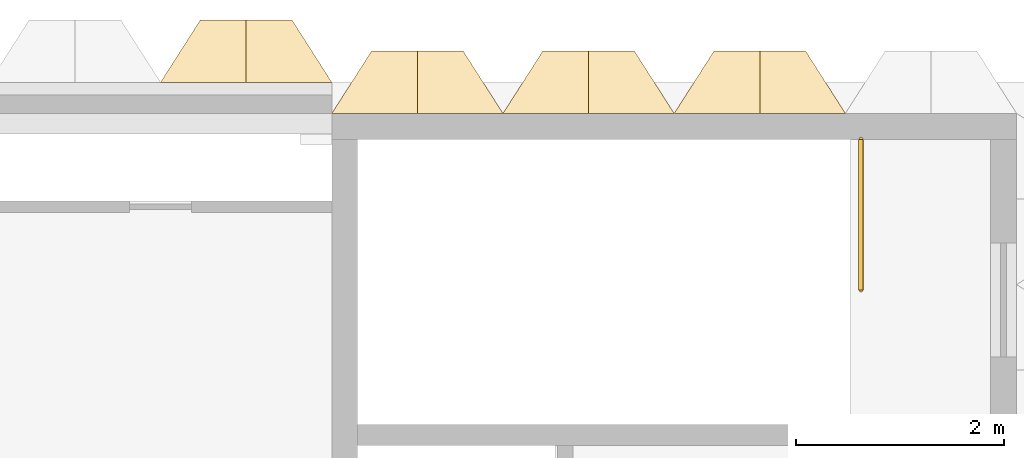
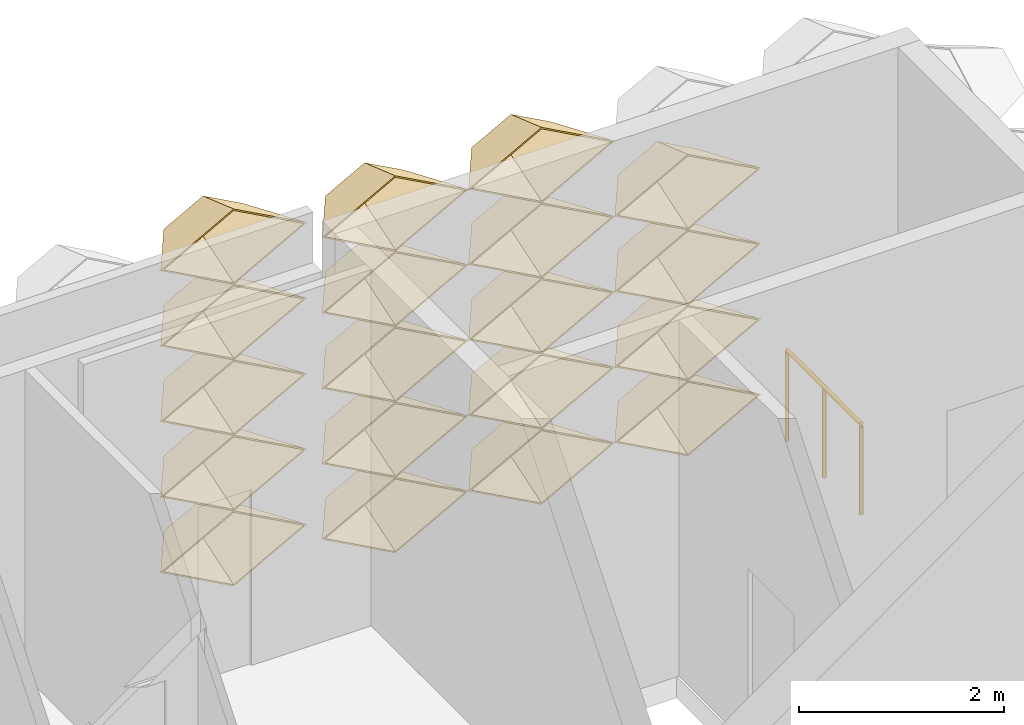
# One storey, part 82 of 85: 19 coverings, 1 railing.
"""IFC4 building model written with IfcOpenShell, lengths in metres."""

from ifc_helpers import new_model, entity, si_unit, direction, frame, origin, origin_2d, place, context, subcontext, project, spatial, circle, extrude, material, layer, layer_set, type_object, element, save


model = new_model("IFC4")

# Units and contexts
model_context = context("Model", 3, precision=1e-05, world=origin(), true_north=direction((0.0, 1.0)))
body_context = subcontext(model_context, "Body", "Model", "MODEL_VIEW")
ifc_project = project(units=[si_unit("LENGTHUNIT", "METRE"), si_unit("AREAUNIT", "SQUARE_METRE"), si_unit("VOLUMEUNIT", "CUBIC_METRE"), si_unit("PLANEANGLEUNIT", "RADIAN"), si_unit("MASSUNIT", "GRAM", prefix="KILO")], contexts=[model_context])

# Site, building, storey
site_placement = place(None, origin())
site = spatial("IfcSite", under=ifc_project, at=site_placement, CompositionType="ELEMENT")
building_placement = place(site_placement, origin())
building = spatial("IfcBuilding", under=site, at=building_placement, Name="Lantern Court Research Institute", CompositionType="ELEMENT")
storey_placement = place(building_placement, frame((0.0, 0.0, 18.89990234375)))
storey = spatial("IfcBuildingStorey", under=building, at=storey_placement, Name="L04", CompositionType="ELEMENT", Elevation=18.89990234375)

# Coverings
ifc_material_1 = material(Name="Anodised aluminium", Category="aluminium")
ifc_layer = layer(ifc_material_1, 0.01611328125)
ifc_layer_set = layer_set([ifc_layer], Name="Anodised aluminium")
covering_type = type_object("IfcCoveringType", Name="Fin cassette 1650 x 900 x 600 aluminium", PredefinedType="CLADDING", material=ifc_layer_set)
covering_1_placement = place(storey_placement, frame((73.425048828125, 99.0, 0.4501953125), z_axis=(0.0, 1.0, 0.0), x_axis=(-1.0, 0.0, 0.0)))
cartesian_point_1 = entity("IfcCartesianPoint", [0.824951171875, 0.0])
cartesian_point_2 = entity("IfcCartesianPoint", [0.79150390625, 0.0])
cartesian_point_3 = entity("IfcCartesianPoint", [0.44189453125, 0.0])
cartesian_point_4 = entity("IfcCartesianPoint", [0.43359375, 0.0])
element("IfcCovering", 1, at=covering_1_placement, inside=storey, type_object=covering_type, Name="Fin cassette V6N-L04 1.45", PredefinedType="CLADDING", context=body_context, shape_type="SweptSolid", body=[
    entity("IfcExtrudedAreaSolidTapered", entity("IfcArbitraryProfileDefWithVoids", "AREA", None, entity("IfcPolyline", [cartesian_point_1, entity("IfcCartesianPoint", [0.0, 0.449951171875]), entity("IfcCartesianPoint", [-0.824951171875, 0.0]), entity("IfcCartesianPoint", [0.0, -0.449951171875]), cartesian_point_1]), [entity("IfcPolyline", [cartesian_point_2, entity("IfcCartesianPoint", [0.0, 0.431884765625]), entity("IfcCartesianPoint", [-0.79150390625, 0.0]), entity("IfcCartesianPoint", [0.0, -0.431884765625]), cartesian_point_2])]), entity("IfcAxis2Placement3D", entity("IfcCartesianPoint", [0.0, 0.0, 0.0])), entity("IfcDirection", [0.0, 0.0, 1.0]), 0.60009765625, entity("IfcArbitraryProfileDefWithVoids", "AREA", None, entity("IfcPolyline", [cartesian_point_3, entity("IfcCartesianPoint", [0.0, 0.240966796875]), entity("IfcCartesianPoint", [-0.44189453125, 0.0]), entity("IfcCartesianPoint", [0.0, -0.240966796875]), cartesian_point_3]), [entity("IfcPolyline", [cartesian_point_4, entity("IfcCartesianPoint", [0.0, 0.236572265625]), entity("IfcCartesianPoint", [-0.43359375, 0.0]), entity("IfcCartesianPoint", [0.0, -0.236572265625]), cartesian_point_4])])),
])
covering_2_placement = place(storey_placement, frame((75.074951171875, 99.0, 0.4501953125), z_axis=(0.0, 1.0, 0.0), x_axis=(-1.0, 0.0, 0.0)))
cartesian_point_5 = entity("IfcCartesianPoint", [0.824951171875, 0.0])
cartesian_point_6 = entity("IfcCartesianPoint", [0.79150390625, 0.0])
cartesian_point_7 = entity("IfcCartesianPoint", [0.44189453125, 0.0])
cartesian_point_8 = entity("IfcCartesianPoint", [0.43359375, 0.0])
element("IfcCovering", 2, at=covering_2_placement, inside=storey, type_object=covering_type, Name="Fin cassette V6N-L04 1.46", PredefinedType="CLADDING", context=body_context, shape_type="SweptSolid", body=[
    entity("IfcExtrudedAreaSolidTapered", entity("IfcArbitraryProfileDefWithVoids", "AREA", None, entity("IfcPolyline", [cartesian_point_5, entity("IfcCartesianPoint", [0.0, 0.449951171875]), entity("IfcCartesianPoint", [-0.824951171875, 0.0]), entity("IfcCartesianPoint", [0.0, -0.449951171875]), cartesian_point_5]), [entity("IfcPolyline", [cartesian_point_6, entity("IfcCartesianPoint", [0.0, 0.431884765625]), entity("IfcCartesianPoint", [-0.79150390625, 0.0]), entity("IfcCartesianPoint", [0.0, -0.431884765625]), cartesian_point_6])]), entity("IfcAxis2Placement3D", entity("IfcCartesianPoint", [0.0, 0.0, 0.0])), entity("IfcDirection", [0.0, 0.0, 1.0]), 0.60009765625, entity("IfcArbitraryProfileDefWithVoids", "AREA", None, entity("IfcPolyline", [cartesian_point_7, entity("IfcCartesianPoint", [0.0, 0.240966796875]), entity("IfcCartesianPoint", [-0.44189453125, 0.0]), entity("IfcCartesianPoint", [0.0, -0.240966796875]), cartesian_point_7]), [entity("IfcPolyline", [cartesian_point_8, entity("IfcCartesianPoint", [0.0, 0.236572265625]), entity("IfcCartesianPoint", [-0.43359375, 0.0]), entity("IfcCartesianPoint", [0.0, -0.236572265625]), cartesian_point_8])])),
])
covering_3_placement = place(storey_placement, frame((76.72509765625, 99.0, 0.4501953125), z_axis=(0.0, 1.0, 0.0), x_axis=(-1.0, 0.0, 0.0)))
cartesian_point_9 = entity("IfcCartesianPoint", [0.824951171875, 0.0])
cartesian_point_10 = entity("IfcCartesianPoint", [0.79150390625, 0.0])
cartesian_point_11 = entity("IfcCartesianPoint", [0.44189453125, 0.0])
cartesian_point_12 = entity("IfcCartesianPoint", [0.43359375, 0.0])
element("IfcCovering", 3, at=covering_3_placement, inside=storey, type_object=covering_type, Name="Fin cassette V6N-L04 1.47", PredefinedType="CLADDING", context=body_context, shape_type="SweptSolid", body=[
    entity("IfcExtrudedAreaSolidTapered", entity("IfcArbitraryProfileDefWithVoids", "AREA", None, entity("IfcPolyline", [cartesian_point_9, entity("IfcCartesianPoint", [0.0, 0.449951171875]), entity("IfcCartesianPoint", [-0.824951171875, 0.0]), entity("IfcCartesianPoint", [0.0, -0.449951171875]), cartesian_point_9]), [entity("IfcPolyline", [cartesian_point_10, entity("IfcCartesianPoint", [0.0, 0.431884765625]), entity("IfcCartesianPoint", [-0.79150390625, 0.0]), entity("IfcCartesianPoint", [0.0, -0.431884765625]), cartesian_point_10])]), entity("IfcAxis2Placement3D", entity("IfcCartesianPoint", [0.0, 0.0, 0.0])), entity("IfcDirection", [0.0, 0.0, 1.0]), 0.60009765625, entity("IfcArbitraryProfileDefWithVoids", "AREA", None, entity("IfcPolyline", [cartesian_point_11, entity("IfcCartesianPoint", [0.0, 0.240966796875]), entity("IfcCartesianPoint", [-0.44189453125, 0.0]), entity("IfcCartesianPoint", [0.0, -0.240966796875]), cartesian_point_11]), [entity("IfcPolyline", [cartesian_point_12, entity("IfcCartesianPoint", [0.0, 0.236572265625]), entity("IfcCartesianPoint", [-0.43359375, 0.0]), entity("IfcCartesianPoint", [0.0, -0.236572265625]), cartesian_point_12])])),
])
covering_4_placement = place(storey_placement, frame((73.425048828125, 99.0, 1.35009765625), z_axis=(0.0, 1.0, 0.0), x_axis=(-1.0, 0.0, 0.0)))
cartesian_point_13 = entity("IfcCartesianPoint", [0.824951171875, 0.0])
cartesian_point_14 = entity("IfcCartesianPoint", [0.79150390625, 0.0])
cartesian_point_15 = entity("IfcCartesianPoint", [0.44189453125, 0.0])
cartesian_point_16 = entity("IfcCartesianPoint", [0.43359375, 0.0])
element("IfcCovering", 4, at=covering_4_placement, inside=storey, type_object=covering_type, Name="Fin cassette V6N-L04 2.45", PredefinedType="CLADDING", context=body_context, shape_type="SweptSolid", body=[
    entity("IfcExtrudedAreaSolidTapered", entity("IfcArbitraryProfileDefWithVoids", "AREA", None, entity("IfcPolyline", [cartesian_point_13, entity("IfcCartesianPoint", [0.0, 0.449951171875]), entity("IfcCartesianPoint", [-0.824951171875, 0.0]), entity("IfcCartesianPoint", [0.0, -0.449951171875]), cartesian_point_13]), [entity("IfcPolyline", [cartesian_point_14, entity("IfcCartesianPoint", [0.0, 0.431884765625]), entity("IfcCartesianPoint", [-0.79150390625, 0.0]), entity("IfcCartesianPoint", [0.0, -0.431884765625]), cartesian_point_14])]), entity("IfcAxis2Placement3D", entity("IfcCartesianPoint", [0.0, 0.0, 0.0])), entity("IfcDirection", [0.0, 0.0, 1.0]), 0.60009765625, entity("IfcArbitraryProfileDefWithVoids", "AREA", None, entity("IfcPolyline", [cartesian_point_15, entity("IfcCartesianPoint", [0.0, 0.240966796875]), entity("IfcCartesianPoint", [-0.44189453125, 0.0]), entity("IfcCartesianPoint", [0.0, -0.240966796875]), cartesian_point_15]), [entity("IfcPolyline", [cartesian_point_16, entity("IfcCartesianPoint", [0.0, 0.236572265625]), entity("IfcCartesianPoint", [-0.43359375, 0.0]), entity("IfcCartesianPoint", [0.0, -0.236572265625]), cartesian_point_16])])),
])
covering_5_placement = place(storey_placement, frame((75.074951171875, 99.0, 1.35009765625), z_axis=(0.0, 1.0, 0.0), x_axis=(-1.0, 0.0, 0.0)))
cartesian_point_17 = entity("IfcCartesianPoint", [0.824951171875, 0.0])
cartesian_point_18 = entity("IfcCartesianPoint", [0.79150390625, 0.0])
cartesian_point_19 = entity("IfcCartesianPoint", [0.44189453125, 0.0])
cartesian_point_20 = entity("IfcCartesianPoint", [0.43359375, 0.0])
element("IfcCovering", 5, at=covering_5_placement, inside=storey, type_object=covering_type, Name="Fin cassette V6N-L04 2.46", PredefinedType="CLADDING", context=body_context, shape_type="SweptSolid", body=[
    entity("IfcExtrudedAreaSolidTapered", entity("IfcArbitraryProfileDefWithVoids", "AREA", None, entity("IfcPolyline", [cartesian_point_17, entity("IfcCartesianPoint", [0.0, 0.449951171875]), entity("IfcCartesianPoint", [-0.824951171875, 0.0]), entity("IfcCartesianPoint", [0.0, -0.449951171875]), cartesian_point_17]), [entity("IfcPolyline", [cartesian_point_18, entity("IfcCartesianPoint", [0.0, 0.431884765625]), entity("IfcCartesianPoint", [-0.79150390625, 0.0]), entity("IfcCartesianPoint", [0.0, -0.431884765625]), cartesian_point_18])]), entity("IfcAxis2Placement3D", entity("IfcCartesianPoint", [0.0, 0.0, 0.0])), entity("IfcDirection", [0.0, 0.0, 1.0]), 0.60009765625, entity("IfcArbitraryProfileDefWithVoids", "AREA", None, entity("IfcPolyline", [cartesian_point_19, entity("IfcCartesianPoint", [0.0, 0.240966796875]), entity("IfcCartesianPoint", [-0.44189453125, 0.0]), entity("IfcCartesianPoint", [0.0, -0.240966796875]), cartesian_point_19]), [entity("IfcPolyline", [cartesian_point_20, entity("IfcCartesianPoint", [0.0, 0.236572265625]), entity("IfcCartesianPoint", [-0.43359375, 0.0]), entity("IfcCartesianPoint", [0.0, -0.236572265625]), cartesian_point_20])])),
])
covering_6_placement = place(storey_placement, frame((76.72509765625, 99.0, 1.35009765625), z_axis=(0.0, 1.0, 0.0), x_axis=(-1.0, 0.0, 0.0)))
cartesian_point_21 = entity("IfcCartesianPoint", [0.824951171875, 0.0])
cartesian_point_22 = entity("IfcCartesianPoint", [0.79150390625, 0.0])
cartesian_point_23 = entity("IfcCartesianPoint", [0.44189453125, 0.0])
cartesian_point_24 = entity("IfcCartesianPoint", [0.43359375, 0.0])
element("IfcCovering", 6, at=covering_6_placement, inside=storey, type_object=covering_type, Name="Fin cassette V6N-L04 2.47", PredefinedType="CLADDING", context=body_context, shape_type="SweptSolid", body=[
    entity("IfcExtrudedAreaSolidTapered", entity("IfcArbitraryProfileDefWithVoids", "AREA", None, entity("IfcPolyline", [cartesian_point_21, entity("IfcCartesianPoint", [0.0, 0.449951171875]), entity("IfcCartesianPoint", [-0.824951171875, 0.0]), entity("IfcCartesianPoint", [0.0, -0.449951171875]), cartesian_point_21]), [entity("IfcPolyline", [cartesian_point_22, entity("IfcCartesianPoint", [0.0, 0.431884765625]), entity("IfcCartesianPoint", [-0.79150390625, 0.0]), entity("IfcCartesianPoint", [0.0, -0.431884765625]), cartesian_point_22])]), entity("IfcAxis2Placement3D", entity("IfcCartesianPoint", [0.0, 0.0, 0.0])), entity("IfcDirection", [0.0, 0.0, 1.0]), 0.60009765625, entity("IfcArbitraryProfileDefWithVoids", "AREA", None, entity("IfcPolyline", [cartesian_point_23, entity("IfcCartesianPoint", [0.0, 0.240966796875]), entity("IfcCartesianPoint", [-0.44189453125, 0.0]), entity("IfcCartesianPoint", [0.0, -0.240966796875]), cartesian_point_23]), [entity("IfcPolyline", [cartesian_point_24, entity("IfcCartesianPoint", [0.0, 0.236572265625]), entity("IfcCartesianPoint", [-0.43359375, 0.0]), entity("IfcCartesianPoint", [0.0, -0.236572265625]), cartesian_point_24])])),
])
covering_7_placement = place(storey_placement, frame((73.425048828125, 99.0, 2.25), z_axis=(0.0, 1.0, 0.0), x_axis=(-1.0, 0.0, 0.0)))
cartesian_point_25 = entity("IfcCartesianPoint", [0.824951171875, 0.0])
cartesian_point_26 = entity("IfcCartesianPoint", [0.79150390625, 0.0])
cartesian_point_27 = entity("IfcCartesianPoint", [0.44189453125, 0.0])
cartesian_point_28 = entity("IfcCartesianPoint", [0.43359375, 0.0])
element("IfcCovering", 7, at=covering_7_placement, inside=storey, type_object=covering_type, Name="Fin cassette V6N-L04 3.45", PredefinedType="CLADDING", context=body_context, shape_type="SweptSolid", body=[
    entity("IfcExtrudedAreaSolidTapered", entity("IfcArbitraryProfileDefWithVoids", "AREA", None, entity("IfcPolyline", [cartesian_point_25, entity("IfcCartesianPoint", [0.0, 0.449951171875]), entity("IfcCartesianPoint", [-0.824951171875, 0.0]), entity("IfcCartesianPoint", [0.0, -0.449951171875]), cartesian_point_25]), [entity("IfcPolyline", [cartesian_point_26, entity("IfcCartesianPoint", [0.0, 0.431884765625]), entity("IfcCartesianPoint", [-0.79150390625, 0.0]), entity("IfcCartesianPoint", [0.0, -0.431884765625]), cartesian_point_26])]), entity("IfcAxis2Placement3D", entity("IfcCartesianPoint", [0.0, 0.0, 0.0])), entity("IfcDirection", [0.0, 0.0, 1.0]), 0.60009765625, entity("IfcArbitraryProfileDefWithVoids", "AREA", None, entity("IfcPolyline", [cartesian_point_27, entity("IfcCartesianPoint", [0.0, 0.240966796875]), entity("IfcCartesianPoint", [-0.44189453125, 0.0]), entity("IfcCartesianPoint", [0.0, -0.240966796875]), cartesian_point_27]), [entity("IfcPolyline", [cartesian_point_28, entity("IfcCartesianPoint", [0.0, 0.236572265625]), entity("IfcCartesianPoint", [-0.43359375, 0.0]), entity("IfcCartesianPoint", [0.0, -0.236572265625]), cartesian_point_28])])),
])
covering_8_placement = place(storey_placement, frame((75.074951171875, 99.0, 2.25), z_axis=(0.0, 1.0, 0.0), x_axis=(-1.0, 0.0, 0.0)))
cartesian_point_29 = entity("IfcCartesianPoint", [0.824951171875, 0.0])
cartesian_point_30 = entity("IfcCartesianPoint", [0.79150390625, 0.0])
cartesian_point_31 = entity("IfcCartesianPoint", [0.44189453125, 0.0])
cartesian_point_32 = entity("IfcCartesianPoint", [0.43359375, 0.0])
element("IfcCovering", 8, at=covering_8_placement, inside=storey, type_object=covering_type, Name="Fin cassette V6N-L04 3.46", PredefinedType="CLADDING", context=body_context, shape_type="SweptSolid", body=[
    entity("IfcExtrudedAreaSolidTapered", entity("IfcArbitraryProfileDefWithVoids", "AREA", None, entity("IfcPolyline", [cartesian_point_29, entity("IfcCartesianPoint", [0.0, 0.449951171875]), entity("IfcCartesianPoint", [-0.824951171875, 0.0]), entity("IfcCartesianPoint", [0.0, -0.449951171875]), cartesian_point_29]), [entity("IfcPolyline", [cartesian_point_30, entity("IfcCartesianPoint", [0.0, 0.431884765625]), entity("IfcCartesianPoint", [-0.79150390625, 0.0]), entity("IfcCartesianPoint", [0.0, -0.431884765625]), cartesian_point_30])]), entity("IfcAxis2Placement3D", entity("IfcCartesianPoint", [0.0, 0.0, 0.0])), entity("IfcDirection", [0.0, 0.0, 1.0]), 0.60009765625, entity("IfcArbitraryProfileDefWithVoids", "AREA", None, entity("IfcPolyline", [cartesian_point_31, entity("IfcCartesianPoint", [0.0, 0.240966796875]), entity("IfcCartesianPoint", [-0.44189453125, 0.0]), entity("IfcCartesianPoint", [0.0, -0.240966796875]), cartesian_point_31]), [entity("IfcPolyline", [cartesian_point_32, entity("IfcCartesianPoint", [0.0, 0.236572265625]), entity("IfcCartesianPoint", [-0.43359375, 0.0]), entity("IfcCartesianPoint", [0.0, -0.236572265625]), cartesian_point_32])])),
])
covering_9_placement = place(storey_placement, frame((76.72509765625, 99.0, 2.25), z_axis=(0.0, 1.0, 0.0), x_axis=(-1.0, 0.0, 0.0)))
cartesian_point_33 = entity("IfcCartesianPoint", [0.824951171875, 0.0])
cartesian_point_34 = entity("IfcCartesianPoint", [0.79150390625, 0.0])
cartesian_point_35 = entity("IfcCartesianPoint", [0.44189453125, 0.0])
cartesian_point_36 = entity("IfcCartesianPoint", [0.43359375, 0.0])
element("IfcCovering", 9, at=covering_9_placement, inside=storey, type_object=covering_type, Name="Fin cassette V6N-L04 3.47", PredefinedType="CLADDING", context=body_context, shape_type="SweptSolid", body=[
    entity("IfcExtrudedAreaSolidTapered", entity("IfcArbitraryProfileDefWithVoids", "AREA", None, entity("IfcPolyline", [cartesian_point_33, entity("IfcCartesianPoint", [0.0, 0.449951171875]), entity("IfcCartesianPoint", [-0.824951171875, 0.0]), entity("IfcCartesianPoint", [0.0, -0.449951171875]), cartesian_point_33]), [entity("IfcPolyline", [cartesian_point_34, entity("IfcCartesianPoint", [0.0, 0.431884765625]), entity("IfcCartesianPoint", [-0.79150390625, 0.0]), entity("IfcCartesianPoint", [0.0, -0.431884765625]), cartesian_point_34])]), entity("IfcAxis2Placement3D", entity("IfcCartesianPoint", [0.0, 0.0, 0.0])), entity("IfcDirection", [0.0, 0.0, 1.0]), 0.60009765625, entity("IfcArbitraryProfileDefWithVoids", "AREA", None, entity("IfcPolyline", [cartesian_point_35, entity("IfcCartesianPoint", [0.0, 0.240966796875]), entity("IfcCartesianPoint", [-0.44189453125, 0.0]), entity("IfcCartesianPoint", [0.0, -0.240966796875]), cartesian_point_35]), [entity("IfcPolyline", [cartesian_point_36, entity("IfcCartesianPoint", [0.0, 0.236572265625]), entity("IfcCartesianPoint", [-0.43359375, 0.0]), entity("IfcCartesianPoint", [0.0, -0.236572265625]), cartesian_point_36])])),
])
covering_10_placement = place(storey_placement, frame((73.425048828125, 99.0, 3.150146484375), z_axis=(0.0, 1.0, 0.0), x_axis=(-1.0, 0.0, 0.0)))
cartesian_point_37 = entity("IfcCartesianPoint", [0.824951171875, 0.0])
cartesian_point_38 = entity("IfcCartesianPoint", [0.79150390625, 0.0])
cartesian_point_39 = entity("IfcCartesianPoint", [0.44189453125, 0.0])
cartesian_point_40 = entity("IfcCartesianPoint", [0.43359375, 0.0])
element("IfcCovering", 10, at=covering_10_placement, inside=storey, type_object=covering_type, Name="Fin cassette V6N-L04 4.45", PredefinedType="CLADDING", context=body_context, shape_type="SweptSolid", body=[
    entity("IfcExtrudedAreaSolidTapered", entity("IfcArbitraryProfileDefWithVoids", "AREA", None, entity("IfcPolyline", [cartesian_point_37, entity("IfcCartesianPoint", [0.0, 0.449951171875]), entity("IfcCartesianPoint", [-0.824951171875, 0.0]), entity("IfcCartesianPoint", [0.0, -0.449951171875]), cartesian_point_37]), [entity("IfcPolyline", [cartesian_point_38, entity("IfcCartesianPoint", [0.0, 0.431884765625]), entity("IfcCartesianPoint", [-0.79150390625, 0.0]), entity("IfcCartesianPoint", [0.0, -0.431884765625]), cartesian_point_38])]), entity("IfcAxis2Placement3D", entity("IfcCartesianPoint", [0.0, 0.0, 0.0])), entity("IfcDirection", [0.0, 0.0, 1.0]), 0.60009765625, entity("IfcArbitraryProfileDefWithVoids", "AREA", None, entity("IfcPolyline", [cartesian_point_39, entity("IfcCartesianPoint", [0.0, 0.240966796875]), entity("IfcCartesianPoint", [-0.44189453125, 0.0]), entity("IfcCartesianPoint", [0.0, -0.240966796875]), cartesian_point_39]), [entity("IfcPolyline", [cartesian_point_40, entity("IfcCartesianPoint", [0.0, 0.236572265625]), entity("IfcCartesianPoint", [-0.43359375, 0.0]), entity("IfcCartesianPoint", [0.0, -0.236572265625]), cartesian_point_40])])),
])
covering_11_placement = place(storey_placement, frame((75.074951171875, 99.0, 3.150146484375), z_axis=(0.0, 1.0, 0.0), x_axis=(-1.0, 0.0, 0.0)))
cartesian_point_41 = entity("IfcCartesianPoint", [0.824951171875, 0.0])
cartesian_point_42 = entity("IfcCartesianPoint", [0.79150390625, 0.0])
cartesian_point_43 = entity("IfcCartesianPoint", [0.44189453125, 0.0])
cartesian_point_44 = entity("IfcCartesianPoint", [0.43359375, 0.0])
element("IfcCovering", 11, at=covering_11_placement, inside=storey, type_object=covering_type, Name="Fin cassette V6N-L04 4.46", PredefinedType="CLADDING", context=body_context, shape_type="SweptSolid", body=[
    entity("IfcExtrudedAreaSolidTapered", entity("IfcArbitraryProfileDefWithVoids", "AREA", None, entity("IfcPolyline", [cartesian_point_41, entity("IfcCartesianPoint", [0.0, 0.449951171875]), entity("IfcCartesianPoint", [-0.824951171875, 0.0]), entity("IfcCartesianPoint", [0.0, -0.449951171875]), cartesian_point_41]), [entity("IfcPolyline", [cartesian_point_42, entity("IfcCartesianPoint", [0.0, 0.431884765625]), entity("IfcCartesianPoint", [-0.79150390625, 0.0]), entity("IfcCartesianPoint", [0.0, -0.431884765625]), cartesian_point_42])]), entity("IfcAxis2Placement3D", entity("IfcCartesianPoint", [0.0, 0.0, 0.0])), entity("IfcDirection", [0.0, 0.0, 1.0]), 0.60009765625, entity("IfcArbitraryProfileDefWithVoids", "AREA", None, entity("IfcPolyline", [cartesian_point_43, entity("IfcCartesianPoint", [0.0, 0.240966796875]), entity("IfcCartesianPoint", [-0.44189453125, 0.0]), entity("IfcCartesianPoint", [0.0, -0.240966796875]), cartesian_point_43]), [entity("IfcPolyline", [cartesian_point_44, entity("IfcCartesianPoint", [0.0, 0.236572265625]), entity("IfcCartesianPoint", [-0.43359375, 0.0]), entity("IfcCartesianPoint", [0.0, -0.236572265625]), cartesian_point_44])])),
])
covering_12_placement = place(storey_placement, frame((76.72509765625, 99.0, 3.150146484375), z_axis=(0.0, 1.0, 0.0), x_axis=(-1.0, 0.0, 0.0)))
cartesian_point_45 = entity("IfcCartesianPoint", [0.824951171875, 0.0])
cartesian_point_46 = entity("IfcCartesianPoint", [0.79150390625, 0.0])
cartesian_point_47 = entity("IfcCartesianPoint", [0.44189453125, 0.0])
cartesian_point_48 = entity("IfcCartesianPoint", [0.43359375, 0.0])
element("IfcCovering", 12, at=covering_12_placement, inside=storey, type_object=covering_type, Name="Fin cassette V6N-L04 4.47", PredefinedType="CLADDING", context=body_context, shape_type="SweptSolid", body=[
    entity("IfcExtrudedAreaSolidTapered", entity("IfcArbitraryProfileDefWithVoids", "AREA", None, entity("IfcPolyline", [cartesian_point_45, entity("IfcCartesianPoint", [0.0, 0.449951171875]), entity("IfcCartesianPoint", [-0.824951171875, 0.0]), entity("IfcCartesianPoint", [0.0, -0.449951171875]), cartesian_point_45]), [entity("IfcPolyline", [cartesian_point_46, entity("IfcCartesianPoint", [0.0, 0.431884765625]), entity("IfcCartesianPoint", [-0.79150390625, 0.0]), entity("IfcCartesianPoint", [0.0, -0.431884765625]), cartesian_point_46])]), entity("IfcAxis2Placement3D", entity("IfcCartesianPoint", [0.0, 0.0, 0.0])), entity("IfcDirection", [0.0, 0.0, 1.0]), 0.60009765625, entity("IfcArbitraryProfileDefWithVoids", "AREA", None, entity("IfcPolyline", [cartesian_point_47, entity("IfcCartesianPoint", [0.0, 0.240966796875]), entity("IfcCartesianPoint", [-0.44189453125, 0.0]), entity("IfcCartesianPoint", [0.0, -0.240966796875]), cartesian_point_47]), [entity("IfcPolyline", [cartesian_point_48, entity("IfcCartesianPoint", [0.0, 0.236572265625]), entity("IfcCartesianPoint", [-0.43359375, 0.0]), entity("IfcCartesianPoint", [0.0, -0.236572265625]), cartesian_point_48])])),
])
covering_13_placement = place(storey_placement, frame((73.425048828125, 99.0, 4.050048828125), z_axis=(0.0, 1.0, 0.0), x_axis=(-1.0, 0.0, 0.0)))
cartesian_point_49 = entity("IfcCartesianPoint", [0.824951171875, 0.0])
cartesian_point_50 = entity("IfcCartesianPoint", [0.79150390625, 0.0])
cartesian_point_51 = entity("IfcCartesianPoint", [0.44189453125, 0.0])
cartesian_point_52 = entity("IfcCartesianPoint", [0.43359375, 0.0])
element("IfcCovering", 13, at=covering_13_placement, inside=storey, type_object=covering_type, Name="Fin cassette V6N-L04 5.45", PredefinedType="CLADDING", context=body_context, shape_type="SweptSolid", body=[
    entity("IfcExtrudedAreaSolidTapered", entity("IfcArbitraryProfileDefWithVoids", "AREA", None, entity("IfcPolyline", [cartesian_point_49, entity("IfcCartesianPoint", [0.0, 0.449951171875]), entity("IfcCartesianPoint", [-0.824951171875, 0.0]), entity("IfcCartesianPoint", [0.0, -0.449951171875]), cartesian_point_49]), [entity("IfcPolyline", [cartesian_point_50, entity("IfcCartesianPoint", [0.0, 0.431884765625]), entity("IfcCartesianPoint", [-0.79150390625, 0.0]), entity("IfcCartesianPoint", [0.0, -0.431884765625]), cartesian_point_50])]), entity("IfcAxis2Placement3D", entity("IfcCartesianPoint", [0.0, 0.0, 0.0])), entity("IfcDirection", [0.0, 0.0, 1.0]), 0.60009765625, entity("IfcArbitraryProfileDefWithVoids", "AREA", None, entity("IfcPolyline", [cartesian_point_51, entity("IfcCartesianPoint", [0.0, 0.240966796875]), entity("IfcCartesianPoint", [-0.44189453125, 0.0]), entity("IfcCartesianPoint", [0.0, -0.240966796875]), cartesian_point_51]), [entity("IfcPolyline", [cartesian_point_52, entity("IfcCartesianPoint", [0.0, 0.236572265625]), entity("IfcCartesianPoint", [-0.43359375, 0.0]), entity("IfcCartesianPoint", [0.0, -0.236572265625]), cartesian_point_52])])),
])
covering_14_placement = place(storey_placement, frame((75.074951171875, 99.0, 4.050048828125), z_axis=(0.0, 1.0, 0.0), x_axis=(-1.0, 0.0, 0.0)))
cartesian_point_53 = entity("IfcCartesianPoint", [0.824951171875, 0.0])
cartesian_point_54 = entity("IfcCartesianPoint", [0.79150390625, 0.0])
cartesian_point_55 = entity("IfcCartesianPoint", [0.44189453125, 0.0])
cartesian_point_56 = entity("IfcCartesianPoint", [0.43359375, 0.0])
element("IfcCovering", 14, at=covering_14_placement, inside=storey, type_object=covering_type, Name="Fin cassette V6N-L04 5.46", PredefinedType="CLADDING", context=body_context, shape_type="SweptSolid", body=[
    entity("IfcExtrudedAreaSolidTapered", entity("IfcArbitraryProfileDefWithVoids", "AREA", None, entity("IfcPolyline", [cartesian_point_53, entity("IfcCartesianPoint", [0.0, 0.449951171875]), entity("IfcCartesianPoint", [-0.824951171875, 0.0]), entity("IfcCartesianPoint", [0.0, -0.449951171875]), cartesian_point_53]), [entity("IfcPolyline", [cartesian_point_54, entity("IfcCartesianPoint", [0.0, 0.431884765625]), entity("IfcCartesianPoint", [-0.79150390625, 0.0]), entity("IfcCartesianPoint", [0.0, -0.431884765625]), cartesian_point_54])]), entity("IfcAxis2Placement3D", entity("IfcCartesianPoint", [0.0, 0.0, 0.0])), entity("IfcDirection", [0.0, 0.0, 1.0]), 0.60009765625, entity("IfcArbitraryProfileDefWithVoids", "AREA", None, entity("IfcPolyline", [cartesian_point_55, entity("IfcCartesianPoint", [0.0, 0.240966796875]), entity("IfcCartesianPoint", [-0.44189453125, 0.0]), entity("IfcCartesianPoint", [0.0, -0.240966796875]), cartesian_point_55]), [entity("IfcPolyline", [cartesian_point_56, entity("IfcCartesianPoint", [0.0, 0.236572265625]), entity("IfcCartesianPoint", [-0.43359375, 0.0]), entity("IfcCartesianPoint", [0.0, -0.236572265625]), cartesian_point_56])])),
])
covering_15_placement = place(storey_placement, frame((71.77490234375, 99.300048828125, 0.4501953125), z_axis=(0.0, 1.0, 0.0), x_axis=(-1.0, 0.0, 0.0)))
cartesian_point_57 = entity("IfcCartesianPoint", [0.824951171875, 0.0])
cartesian_point_58 = entity("IfcCartesianPoint", [0.79150390625, 0.0])
cartesian_point_59 = entity("IfcCartesianPoint", [0.44189453125, 0.0])
cartesian_point_60 = entity("IfcCartesianPoint", [0.43359375, 0.0])
element("IfcCovering", 15, at=covering_15_placement, inside=storey, type_object=covering_type, Name="Fin cassette V6N-L04 1.44", PredefinedType="CLADDING", context=body_context, shape_type="SweptSolid", body=[
    entity("IfcExtrudedAreaSolidTapered", entity("IfcArbitraryProfileDefWithVoids", "AREA", None, entity("IfcPolyline", [cartesian_point_57, entity("IfcCartesianPoint", [0.0, 0.449951171875]), entity("IfcCartesianPoint", [-0.824951171875, 0.0]), entity("IfcCartesianPoint", [0.0, -0.449951171875]), cartesian_point_57]), [entity("IfcPolyline", [cartesian_point_58, entity("IfcCartesianPoint", [0.0, 0.431884765625]), entity("IfcCartesianPoint", [-0.79150390625, 0.0]), entity("IfcCartesianPoint", [0.0, -0.431884765625]), cartesian_point_58])]), entity("IfcAxis2Placement3D", entity("IfcCartesianPoint", [0.0, 0.0, 0.0])), entity("IfcDirection", [0.0, 0.0, 1.0]), 0.60009765625, entity("IfcArbitraryProfileDefWithVoids", "AREA", None, entity("IfcPolyline", [cartesian_point_59, entity("IfcCartesianPoint", [0.0, 0.240966796875]), entity("IfcCartesianPoint", [-0.44189453125, 0.0]), entity("IfcCartesianPoint", [0.0, -0.240966796875]), cartesian_point_59]), [entity("IfcPolyline", [cartesian_point_60, entity("IfcCartesianPoint", [0.0, 0.236572265625]), entity("IfcCartesianPoint", [-0.43359375, 0.0]), entity("IfcCartesianPoint", [0.0, -0.236572265625]), cartesian_point_60])])),
])
covering_16_placement = place(storey_placement, frame((71.77490234375, 99.300048828125, 1.35009765625), z_axis=(0.0, 1.0, 0.0), x_axis=(-1.0, 0.0, 0.0)))
cartesian_point_61 = entity("IfcCartesianPoint", [0.824951171875, 0.0])
cartesian_point_62 = entity("IfcCartesianPoint", [0.79150390625, 0.0])
cartesian_point_63 = entity("IfcCartesianPoint", [0.44189453125, 0.0])
cartesian_point_64 = entity("IfcCartesianPoint", [0.43359375, 0.0])
element("IfcCovering", 16, at=covering_16_placement, inside=storey, type_object=covering_type, Name="Fin cassette V6N-L04 2.44", PredefinedType="CLADDING", context=body_context, shape_type="SweptSolid", body=[
    entity("IfcExtrudedAreaSolidTapered", entity("IfcArbitraryProfileDefWithVoids", "AREA", None, entity("IfcPolyline", [cartesian_point_61, entity("IfcCartesianPoint", [0.0, 0.449951171875]), entity("IfcCartesianPoint", [-0.824951171875, 0.0]), entity("IfcCartesianPoint", [0.0, -0.449951171875]), cartesian_point_61]), [entity("IfcPolyline", [cartesian_point_62, entity("IfcCartesianPoint", [0.0, 0.431884765625]), entity("IfcCartesianPoint", [-0.79150390625, 0.0]), entity("IfcCartesianPoint", [0.0, -0.431884765625]), cartesian_point_62])]), entity("IfcAxis2Placement3D", entity("IfcCartesianPoint", [0.0, 0.0, 0.0])), entity("IfcDirection", [0.0, 0.0, 1.0]), 0.60009765625, entity("IfcArbitraryProfileDefWithVoids", "AREA", None, entity("IfcPolyline", [cartesian_point_63, entity("IfcCartesianPoint", [0.0, 0.240966796875]), entity("IfcCartesianPoint", [-0.44189453125, 0.0]), entity("IfcCartesianPoint", [0.0, -0.240966796875]), cartesian_point_63]), [entity("IfcPolyline", [cartesian_point_64, entity("IfcCartesianPoint", [0.0, 0.236572265625]), entity("IfcCartesianPoint", [-0.43359375, 0.0]), entity("IfcCartesianPoint", [0.0, -0.236572265625]), cartesian_point_64])])),
])
covering_17_placement = place(storey_placement, frame((71.77490234375, 99.300048828125, 2.25), z_axis=(0.0, 1.0, 0.0), x_axis=(-1.0, 0.0, 0.0)))
cartesian_point_65 = entity("IfcCartesianPoint", [0.824951171875, 0.0])
cartesian_point_66 = entity("IfcCartesianPoint", [0.79150390625, 0.0])
cartesian_point_67 = entity("IfcCartesianPoint", [0.44189453125, 0.0])
cartesian_point_68 = entity("IfcCartesianPoint", [0.43359375, 0.0])
element("IfcCovering", 17, at=covering_17_placement, inside=storey, type_object=covering_type, Name="Fin cassette V6N-L04 3.44", PredefinedType="CLADDING", context=body_context, shape_type="SweptSolid", body=[
    entity("IfcExtrudedAreaSolidTapered", entity("IfcArbitraryProfileDefWithVoids", "AREA", None, entity("IfcPolyline", [cartesian_point_65, entity("IfcCartesianPoint", [0.0, 0.449951171875]), entity("IfcCartesianPoint", [-0.824951171875, 0.0]), entity("IfcCartesianPoint", [0.0, -0.449951171875]), cartesian_point_65]), [entity("IfcPolyline", [cartesian_point_66, entity("IfcCartesianPoint", [0.0, 0.431884765625]), entity("IfcCartesianPoint", [-0.79150390625, 0.0]), entity("IfcCartesianPoint", [0.0, -0.431884765625]), cartesian_point_66])]), entity("IfcAxis2Placement3D", entity("IfcCartesianPoint", [0.0, 0.0, 0.0])), entity("IfcDirection", [0.0, 0.0, 1.0]), 0.60009765625, entity("IfcArbitraryProfileDefWithVoids", "AREA", None, entity("IfcPolyline", [cartesian_point_67, entity("IfcCartesianPoint", [0.0, 0.240966796875]), entity("IfcCartesianPoint", [-0.44189453125, 0.0]), entity("IfcCartesianPoint", [0.0, -0.240966796875]), cartesian_point_67]), [entity("IfcPolyline", [cartesian_point_68, entity("IfcCartesianPoint", [0.0, 0.236572265625]), entity("IfcCartesianPoint", [-0.43359375, 0.0]), entity("IfcCartesianPoint", [0.0, -0.236572265625]), cartesian_point_68])])),
])
covering_18_placement = place(storey_placement, frame((71.77490234375, 99.300048828125, 3.150146484375), z_axis=(0.0, 1.0, 0.0), x_axis=(-1.0, 0.0, 0.0)))
cartesian_point_69 = entity("IfcCartesianPoint", [0.824951171875, 0.0])
cartesian_point_70 = entity("IfcCartesianPoint", [0.79150390625, 0.0])
cartesian_point_71 = entity("IfcCartesianPoint", [0.44189453125, 0.0])
cartesian_point_72 = entity("IfcCartesianPoint", [0.43359375, 0.0])
element("IfcCovering", 18, at=covering_18_placement, inside=storey, type_object=covering_type, Name="Fin cassette V6N-L04 4.44", PredefinedType="CLADDING", context=body_context, shape_type="SweptSolid", body=[
    entity("IfcExtrudedAreaSolidTapered", entity("IfcArbitraryProfileDefWithVoids", "AREA", None, entity("IfcPolyline", [cartesian_point_69, entity("IfcCartesianPoint", [0.0, 0.449951171875]), entity("IfcCartesianPoint", [-0.824951171875, 0.0]), entity("IfcCartesianPoint", [0.0, -0.449951171875]), cartesian_point_69]), [entity("IfcPolyline", [cartesian_point_70, entity("IfcCartesianPoint", [0.0, 0.431884765625]), entity("IfcCartesianPoint", [-0.79150390625, 0.0]), entity("IfcCartesianPoint", [0.0, -0.431884765625]), cartesian_point_70])]), entity("IfcAxis2Placement3D", entity("IfcCartesianPoint", [0.0, 0.0, 0.0])), entity("IfcDirection", [0.0, 0.0, 1.0]), 0.60009765625, entity("IfcArbitraryProfileDefWithVoids", "AREA", None, entity("IfcPolyline", [cartesian_point_71, entity("IfcCartesianPoint", [0.0, 0.240966796875]), entity("IfcCartesianPoint", [-0.44189453125, 0.0]), entity("IfcCartesianPoint", [0.0, -0.240966796875]), cartesian_point_71]), [entity("IfcPolyline", [cartesian_point_72, entity("IfcCartesianPoint", [0.0, 0.236572265625]), entity("IfcCartesianPoint", [-0.43359375, 0.0]), entity("IfcCartesianPoint", [0.0, -0.236572265625]), cartesian_point_72])])),
])
covering_19_placement = place(storey_placement, frame((71.77490234375, 99.300048828125, 4.050048828125), z_axis=(0.0, 1.0, 0.0), x_axis=(-1.0, 0.0, 0.0)))
cartesian_point_73 = entity("IfcCartesianPoint", [0.824951171875, 0.0])
cartesian_point_74 = entity("IfcCartesianPoint", [0.79150390625, 0.0])
cartesian_point_75 = entity("IfcCartesianPoint", [0.44189453125, 0.0])
cartesian_point_76 = entity("IfcCartesianPoint", [0.43359375, 0.0])
element("IfcCovering", 19, at=covering_19_placement, inside=storey, type_object=covering_type, Name="Fin cassette V6N-L04 5.44", PredefinedType="CLADDING", context=body_context, shape_type="SweptSolid", body=[
    entity("IfcExtrudedAreaSolidTapered", entity("IfcArbitraryProfileDefWithVoids", "AREA", None, entity("IfcPolyline", [cartesian_point_73, entity("IfcCartesianPoint", [0.0, 0.449951171875]), entity("IfcCartesianPoint", [-0.824951171875, 0.0]), entity("IfcCartesianPoint", [0.0, -0.449951171875]), cartesian_point_73]), [entity("IfcPolyline", [cartesian_point_74, entity("IfcCartesianPoint", [0.0, 0.431884765625]), entity("IfcCartesianPoint", [-0.79150390625, 0.0]), entity("IfcCartesianPoint", [0.0, -0.431884765625]), cartesian_point_74])]), entity("IfcAxis2Placement3D", entity("IfcCartesianPoint", [0.0, 0.0, 0.0])), entity("IfcDirection", [0.0, 0.0, 1.0]), 0.60009765625, entity("IfcArbitraryProfileDefWithVoids", "AREA", None, entity("IfcPolyline", [cartesian_point_75, entity("IfcCartesianPoint", [0.0, 0.240966796875]), entity("IfcCartesianPoint", [-0.44189453125, 0.0]), entity("IfcCartesianPoint", [0.0, -0.240966796875]), cartesian_point_75]), [entity("IfcPolyline", [cartesian_point_76, entity("IfcCartesianPoint", [0.0, 0.236572265625]), entity("IfcCartesianPoint", [-0.43359375, 0.0]), entity("IfcCartesianPoint", [0.0, -0.236572265625]), cartesian_point_76])])),
])

# Railing
ifc_material_2 = material(Name="Structural steel S355", Category="steel")
railing_type = type_object("IfcRailingType", Name="Stair guard 1100 steel", PredefinedType="GUARDRAIL", material=ifc_material_2)
railing_placement = place(storey_placement, frame((77.699951171875, 98.75, 0.0)))
element("IfcRailing", 20, at=railing_placement, inside=storey, type_object=railing_type, Name="L04 ST-W3 top well guard 1", PredefinedType="GUARDRAIL", context=body_context, shape_type="SweptSolid", body=[
    extrude(circle(Radius=0.02392578125, at=origin_2d()), frame((0.0, 0.0, 1.076171875), z_axis=(0.0, -1.0, 0.0), x_axis=(1.0, 0.0, 0.0)), (0.0, 0.0, 1.0), 1.449951171875),
    extrude(circle(Radius=0.02099609375, at=origin_2d()), origin(), (0.0, 0.0, 1.0), 1.052001953125),
    extrude(circle(Radius=0.02099609375, at=origin_2d()), frame((0.0, -0.72509765625, 0.0)), (0.0, 0.0, 1.0), 1.052001953125),
    extrude(circle(Radius=0.02099609375, at=origin_2d()), frame((0.0, -1.449951171875, 0.0)), (0.0, 0.0, 1.0), 1.052001953125),
])

save(model, "model.ifc")
